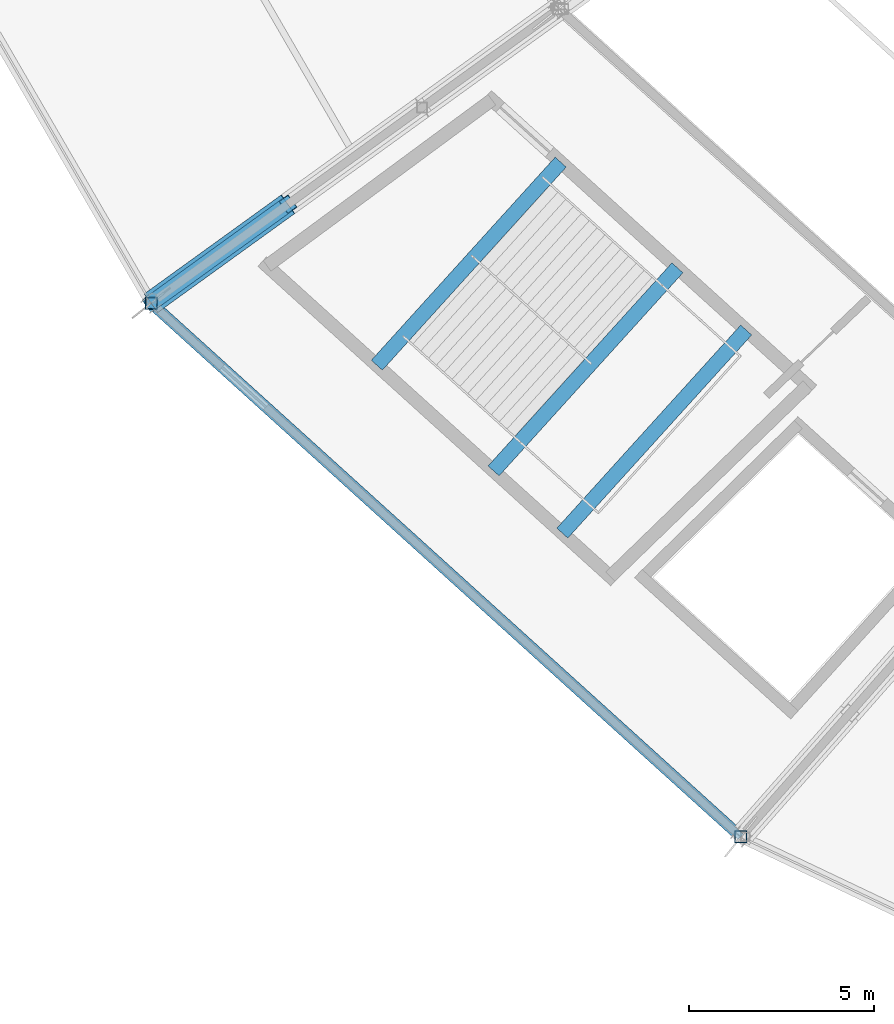
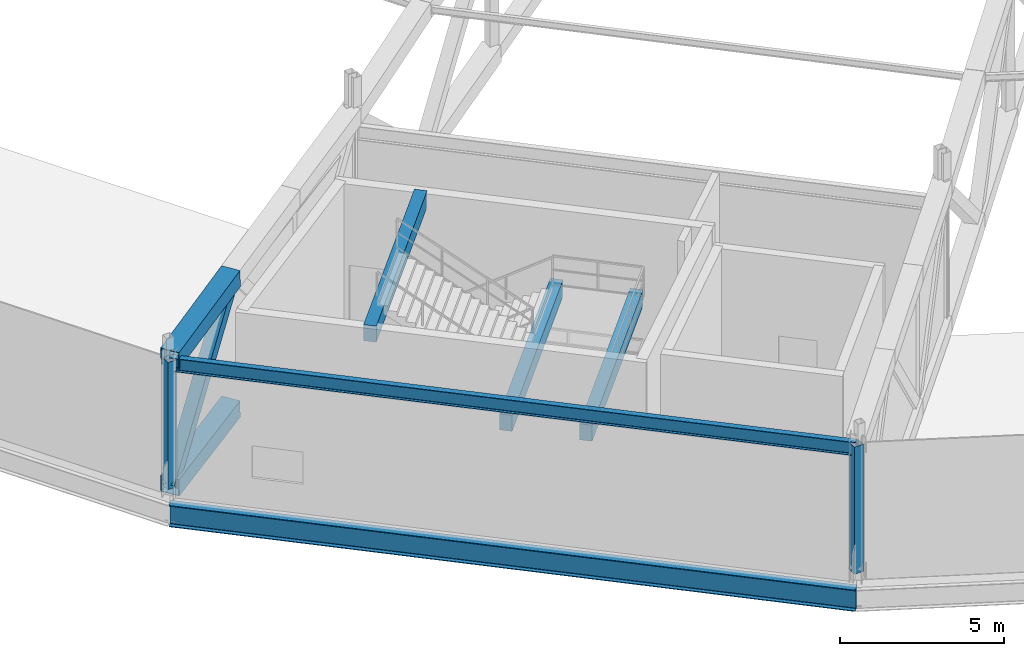
# One storey, part 14 of 162: 5 beams, 5 members.
"""IFC4 building model written with IfcOpenShell, lengths in metres."""

from ifc_helpers import new_model, si_unit, direction, frame, origin, origin_2d, place, context, subcontext, project, spatial, rectangle, hollow_rectangle, i_section, extrude, material, material_profile, profile_set, type_object, element, save


model = new_model("IFC4")

# Units and contexts
model_context = context("Model", 3, precision=1e-05, world=origin(), true_north=direction((0.0, 1.0)))
body_context = subcontext(model_context, "Body", "Model", "MODEL_VIEW")
ifc_project = project(units=[si_unit("LENGTHUNIT", "METRE"), si_unit("AREAUNIT", "SQUARE_METRE"), si_unit("VOLUMEUNIT", "CUBIC_METRE"), si_unit("PLANEANGLEUNIT", "RADIAN"), si_unit("MASSUNIT", "GRAM", prefix="KILO")], contexts=[model_context])

# Site, building, storey
site_placement = place(None, origin())
site = spatial("IfcSite", under=ifc_project, at=site_placement, CompositionType="ELEMENT")
building_placement = place(site_placement, origin())
building = spatial("IfcBuilding", under=site, at=building_placement, Name="Kazemori Nagisa Stadium", CompositionType="ELEMENT")
storey_placement = place(building_placement, frame((0.0, 0.0, 36.719970703125)))
storey = spatial("IfcBuildingStorey", under=building, at=storey_placement, Name="RF", CompositionType="ELEMENT", Elevation=36.719970703125)

# Beams
ifc_material_1 = material(Name="Steel SN490B", Category="steel")
ifc_material_profile_1 = material_profile(ifc_material_1, i_section(OverallWidth=0.199951171875, OverallDepth=0.5, WebThickness=0.010009765625, FlangeThickness=0.01611328125, FilletRadius=0.012939453125, at=origin_2d()), Name="H-500x200x10x16")
ifc_profile_set_1 = profile_set([ifc_material_profile_1], Name="Steel SN490B")
beam_type_1 = type_object("IfcBeamType", Name="Beam_BG-H500", PredefinedType="BEAM", material=ifc_profile_set_1)
beam_1_placement = place(storey_placement, frame((44.504638671875, 45.332275390625, 4.93994140625), z_axis=(0.741351531326, -0.671116910084, 0.0), x_axis=(0.671116910084, 0.741351531326, 0.0)))
element("IfcBeam", 1, at=beam_1_placement, inside=storey, type_object=beam_type_1, Name="Headhouse roof beam BG-H500 B18-out", PredefinedType="BEAM", context=body_context, shape_type="SweptSolid", body=[
    extrude(i_section(OverallWidth=0.199951171875, OverallDepth=0.5, WebThickness=0.010009765625, FlangeThickness=0.01611328125, FilletRadius=0.012939453125, at=origin_2d()), origin(), (0.0, 0.0, 1.0), 21.44384765625),
])
ifc_material_profile_2 = material_profile(ifc_material_1, i_section(OverallWidth=0.300048828125, OverallDepth=0.800048828125, WebThickness=0.013916015625, FlangeThickness=0.02587890625, FilletRadius=0.01806640625, at=origin_2d()), Name="H-800x300x14x26")
ifc_profile_set_2 = profile_set([ifc_material_profile_2], Name="Steel SN490B")
beam_type_2 = type_object("IfcBeamType", Name="Beam_BG-H800", PredefinedType="BEAM", material=ifc_profile_set_2)
beam_2_placement = place(storey_placement, frame((44.504638671875, 45.332275390625, -0.679931640625), z_axis=(0.741351531326, -0.671116910084, 0.0), x_axis=(0.671116910084, 0.741351531326, 0.0)))
element("IfcBeam", 2, at=beam_2_placement, inside=storey, type_object=beam_type_2, Name="Roof compression ring beam BG-H800 R3-18", PredefinedType="BEAM", context=body_context, shape_type="SweptSolid", body=[
    extrude(i_section(OverallWidth=0.300048828125, OverallDepth=0.800048828125, WebThickness=0.013916015625, FlangeThickness=0.02587890625, FilletRadius=0.01806640625, at=origin_2d()), origin(), (0.0, 0.0, 1.0), 21.44384765625),
])
ifc_material_2 = material(Name="Concrete C40/50 (Fc42)", Category="concrete")
ifc_material_profile_3 = material_profile(ifc_material_2, rectangle(XDim=0.39990234375, YDim=0.60009765625, at=origin_2d()), Name="RC-BM-400x600")
ifc_profile_set_3 = profile_set([ifc_material_profile_3], Name="Concrete C40/50 (Fc42)")
beam_type_3 = type_object("IfcBeamType", Name="Beam_BG-LND400X600", PredefinedType="BEAM", material=ifc_profile_set_3)
beam_3_placement = place(storey_placement, frame((58.692626953125, 46.282958984375, 2.219970703125), z_axis=(-0.671129682405, -0.741339968837, 0.0), x_axis=(0.741339968837, -0.671129682405, 0.0)))
element("IfcBeam", 3, at=beam_3_placement, inside=storey, type_object=beam_type_3, Name="Core stair mid-landing girder ST03-RF-1", PredefinedType="BEAM", context=body_context, shape_type="SweptSolid", body=[
    extrude(rectangle(XDim=0.39990234375, YDim=0.60009765625, at=origin_2d()), origin(), (0.0, 0.0, 1.0), 7.3857421875),
])
beam_4_placement = place(storey_placement, frame((60.5458984375, 44.605224609375, 2.219970703125), z_axis=(-0.671113236271, -0.74135485707, 0.0), x_axis=(0.74135485707, -0.671113236271, 0.0)))
element("IfcBeam", 4, at=beam_4_placement, inside=storey, type_object=beam_type_3, Name="Core stair mid-landing girder ST03-RF-2", PredefinedType="BEAM", context=body_context, shape_type="SweptSolid", body=[
    extrude(rectangle(XDim=0.39990234375, YDim=0.60009765625, at=origin_2d()), origin(), (0.0, 0.0, 1.0), 7.385986328125),
])
beam_5_placement = place(storey_placement, frame((55.545654296875, 49.1318359375, 4.919921875), z_axis=(-0.671129682405, -0.741339968837, 0.0), x_axis=(0.741339968837, -0.671129682405, 0.0)))
element("IfcBeam", 5, at=beam_5_placement, inside=storey, type_object=beam_type_3, Name="Core stair arrival header girder ST03-RF", PredefinedType="BEAM", context=body_context, shape_type="SweptSolid", body=[
    extrude(rectangle(XDim=0.39990234375, YDim=0.60009765625, at=origin_2d()), origin(), (0.0, 0.0, 1.0), 7.3857421875),
])

# Members
ifc_material_3 = material(Name="Steel STKR490", Category="steel")
ifc_material_profile_4 = material_profile(ifc_material_3, hollow_rectangle(XDim=0.419921875, YDim=0.419921875, WallThickness=0.01611328125, at=origin_2d()), Name="SHS-420x420x16")
ifc_profile_set_4 = profile_set([ifc_material_profile_4], Name="Steel STKR490")
member_type_1 = type_object("IfcMemberType", Name="Member_TB-SHS420", PredefinedType="BRACE", material=ifc_profile_set_4)
member_1_placement = place(storey_placement, frame((44.504638671875, 45.332275390625, 0.360107421875), z_axis=(0.551711223823, 0.398330319099, 0.732767140635), x_axis=(-0.585367131557, 0.810768352425, 0.0)))
element("IfcMember", 6, at=member_1_placement, inside=storey, type_object=member_type_1, Name="Roof space truss diagonal RT-18-1", PredefinedType="BRACE", context=body_context, shape_type="SweptSolid", body=[
    extrude(hollow_rectangle(XDim=0.419921875, YDim=0.419921875, WallThickness=0.01611328125, at=origin_2d()), origin(), (0.0, 0.0, 1.0), 6.686767578125),
])
ifc_material_profile_5 = material_profile(ifc_material_3, hollow_rectangle(XDim=0.6201171875, YDim=0.6201171875, WallThickness=0.02197265625, at=origin_2d()), Name="SHS-620x620x22")
ifc_profile_set_5 = profile_set([ifc_material_profile_5], Name="Steel STKR490")
member_type_2 = type_object("IfcMemberType", Name="Member_TC-SHS620", PredefinedType="CHORD", material=ifc_profile_set_5)
member_2_placement = place(storey_placement, frame((44.504638671875, 45.332275390625, 5.10009765625), z_axis=(0.810268139973, 0.585005982867, 0.035121807404), x_axis=(-0.585367131557, 0.810768352425, 0.0)))
element("IfcMember", 7, at=member_2_placement, inside=storey, type_object=member_type_2, Name="Roof space truss top chord RT-18-1", PredefinedType="CHORD", context=body_context, shape_type="SweptSolid", body=[
    extrude(hollow_rectangle(XDim=0.6201171875, YDim=0.6201171875, WallThickness=0.02197265625, at=origin_2d()), origin(), (0.0, 0.0, 1.0), 4.552978515625),
])
member_3_placement = place(storey_placement, frame((44.504638671875, 45.332275390625, 0.360107421875), z_axis=(0.810736966391, 0.585344471135, 0.008798945304), x_axis=(-0.585367131557, 0.810768352425, 0.0)))
element("IfcMember", 8, at=member_3_placement, inside=storey, type_object=member_type_2, Name="Roof space truss bottom chord RT-18-1", PredefinedType="CHORD", context=body_context, shape_type="SweptSolid", body=[
    extrude(hollow_rectangle(XDim=0.6201171875, YDim=0.6201171875, WallThickness=0.02197265625, at=origin_2d()), origin(), (0.0, 0.0, 1.0), 4.550537109375),
])
ifc_material_profile_6 = material_profile(ifc_material_3, hollow_rectangle(XDim=0.320068359375, YDim=0.320068359375, WallThickness=0.011962890625, at=origin_2d()), Name="SHS-320x320x12")
ifc_profile_set_6 = profile_set([ifc_material_profile_6], Name="Steel STKR490")
member_type_3 = type_object("IfcMemberType", Name="Member_TS-SHS320", PredefinedType="STRUT", material=ifc_profile_set_6)
for number, where, z_axis, x_axis, name in (
    (9, (44.504638671875, 45.332275390625, 0.360107421875), (0.0, 0.0, 1.0), (1.0, 0.0, 0.0), "Roof space truss strut RT-18-1"),
    (10, (60.402099609375, 30.94091796875, 0.360107421875), (0.0, 0.0, 1.0), (1.0, 0.0, 0.0), "Roof space truss strut RT-19-1"),
):
    element("IfcMember", number, at=place(storey_placement, frame(where, z_axis=z_axis, x_axis=x_axis)), inside=storey, type_object=member_type_3, Name=name, PredefinedType="STRUT", context=body_context, shape_type="SweptSolid", body=[
        extrude(hollow_rectangle(XDim=0.320068359375, YDim=0.320068359375, WallThickness=0.011962890625, at=origin_2d()), origin(), (0.0, 0.0, 1.0), 4.739990234375),
    ])

save(model, "model.ifc")
